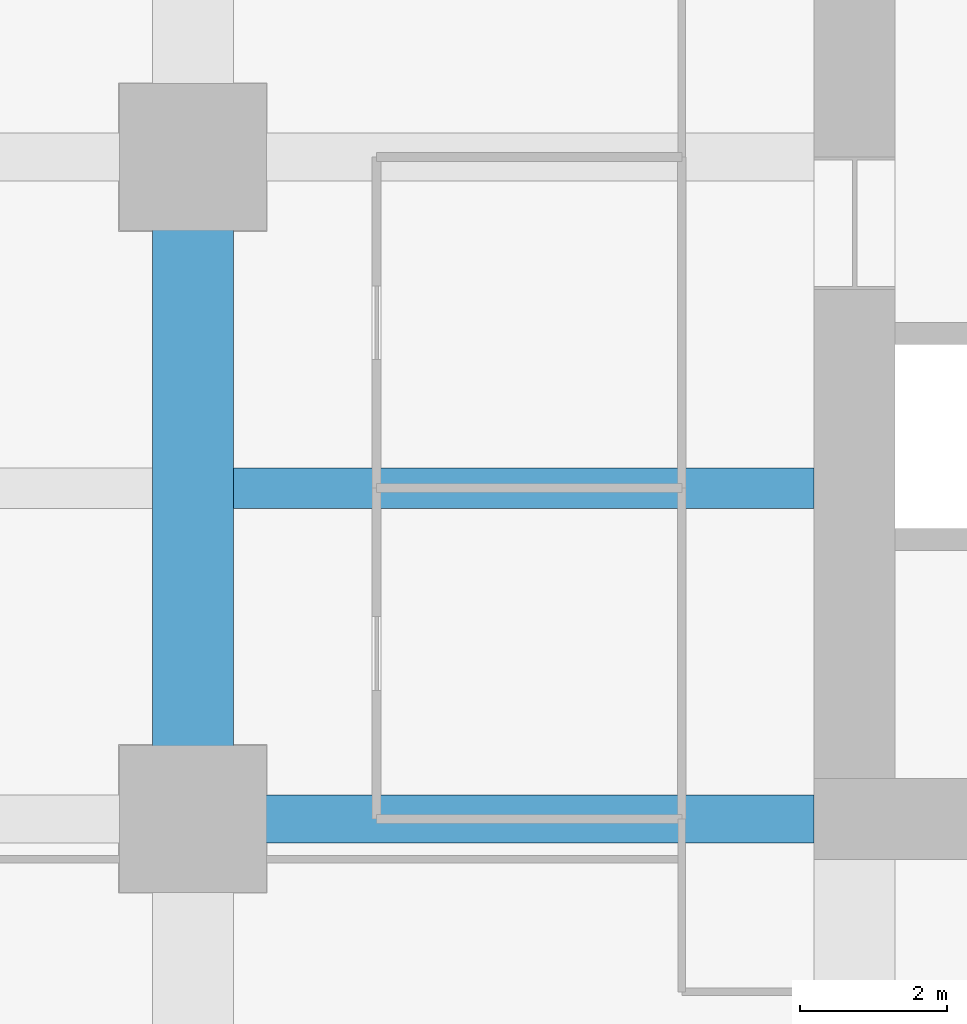
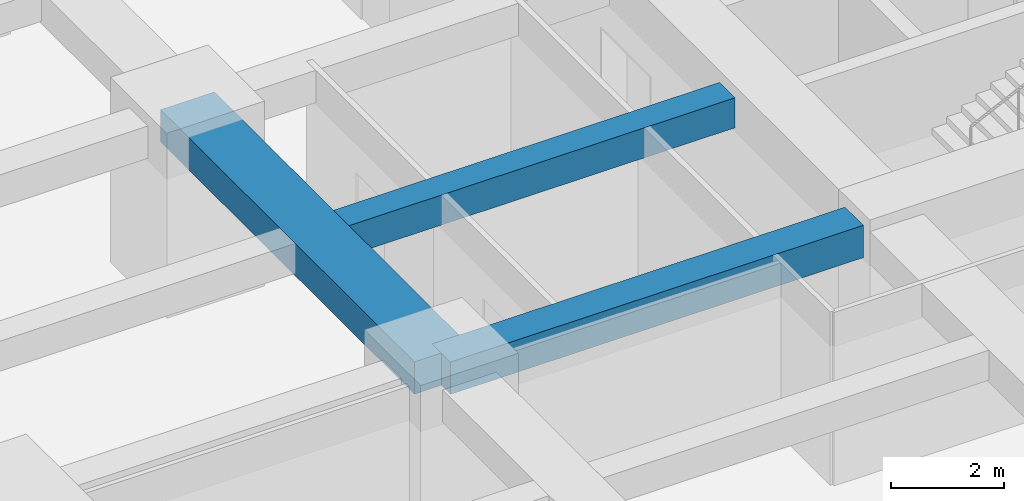
# One storey, part 10 of 41: 3 beams.
"""IFC4 building model written with IfcOpenShell, lengths in metres."""

from ifc_helpers import new_model, si_unit, direction, frame, origin, origin_2d, place, context, subcontext, project, spatial, rectangle, extrude, material, material_profile, profile_set, type_object, element, save


model = new_model("IFC4")

# Units and contexts
model_context = context("Model", 3, precision=1e-05, world=origin(), true_north=direction((0.0, 1.0)))
body_context = subcontext(model_context, "Body", "Model", "MODEL_VIEW")
ifc_project = project(units=[si_unit("LENGTHUNIT", "METRE"), si_unit("AREAUNIT", "SQUARE_METRE"), si_unit("VOLUMEUNIT", "CUBIC_METRE"), si_unit("PLANEANGLEUNIT", "RADIAN"), si_unit("MASSUNIT", "GRAM", prefix="KILO")], contexts=[model_context])

# Site, building, storey
site_placement = place(None, origin())
site = spatial("IfcSite", under=ifc_project, at=site_placement, CompositionType="ELEMENT")
building_placement = place(site_placement, origin())
building = spatial("IfcBuilding", under=site, at=building_placement, Name="Zorevar Civic Tower", CompositionType="ELEMENT")
storey_placement = place(building_placement, frame((0.0, 0.0, 101.0)))
storey = spatial("IfcBuildingStorey", under=building, at=storey_placement, Name="L24", CompositionType="ELEMENT", Elevation=101.0)

# Beams
ifc_material_1 = material(Name="Concrete C50/60", Category="concrete")
ifc_material_profile_1 = material_profile(ifc_material_1, rectangle(XDim=1.10009765625, YDim=0.699951171875, at=origin_2d()), Name="RC 1100x700")
ifc_profile_set_1 = profile_set([ifc_material_profile_1], Name="Concrete C50/60")
beam_type_1 = type_object("IfcBeamType", Name="Beam RC 1100x700", PredefinedType="BEAM", material=ifc_profile_set_1)
beam_1_placement = place(storey_placement, frame((9.0, 18.0, 3.39990234375), z_axis=(0.0, 1.0, 0.0), x_axis=(-1.0, 0.0, 0.0)))
element("IfcBeam", 1, at=beam_1_placement, inside=storey, type_object=beam_type_1, Name="Girder L25", PredefinedType="BEAM", context=body_context, shape_type="SweptSolid", body=[
    extrude(rectangle(XDim=1.10009765625, YDim=0.699951171875, at=origin_2d()), origin(), (0.0, 0.0, 1.0), 9.0),
])
ifc_material_2 = material(Name="Concrete C50/60", Category="concrete")
ifc_material_profile_2 = material_profile(ifc_material_2, rectangle(XDim=0.550048828125, YDim=0.64990234375, at=origin_2d()), Name="RC 550x650")
ifc_profile_set_2 = profile_set([ifc_material_profile_2], Name="Concrete C50/60")
beam_type_2 = type_object("IfcBeamType", Name="Beam RC 550x650", PredefinedType="BEAM", material=ifc_profile_set_2)
beam_2_placement = place(storey_placement, frame((9.550048828125, 22.5, 3.425048828125), z_axis=(1.0, 0.0, 0.0), x_axis=(0.0, 1.0, 0.0)))
element("IfcBeam", 2, at=beam_2_placement, inside=storey, type_object=beam_type_2, Name="Secondary beam L25", PredefinedType="BEAM", context=body_context, shape_type="SweptSolid", body=[
    extrude(rectangle(XDim=0.550048828125, YDim=0.64990234375, at=origin_2d()), origin(), (0.0, 0.0, 1.0), 7.89990234375),
])
ifc_material_3 = material(Name="Concrete C50/60", Category="concrete")
ifc_material_profile_3 = material_profile(ifc_material_3, rectangle(XDim=0.64990234375, YDim=0.699951171875, at=origin_2d()), Name="RC 650x700")
ifc_profile_set_3 = profile_set([ifc_material_profile_3], Name="Concrete C50/60")
beam_type_3 = type_object("IfcBeamType", Name="Beam RC 650x700", PredefinedType="BEAM", material=ifc_profile_set_3)
beam_3_placement = place(storey_placement, frame((9.0, 18.0, 3.39990234375), z_axis=(1.0, 0.0, 0.0), x_axis=(0.0, 1.0, 0.0)))
element("IfcBeam", 3, at=beam_3_placement, inside=storey, type_object=beam_type_3, Name="Girder L25", PredefinedType="BEAM", context=body_context, shape_type="SweptSolid", body=[
    extrude(rectangle(XDim=0.64990234375, YDim=0.699951171875, at=origin_2d()), origin(), (0.0, 0.0, 1.0), 8.449951171875),
])

save(model, "model.ifc")
